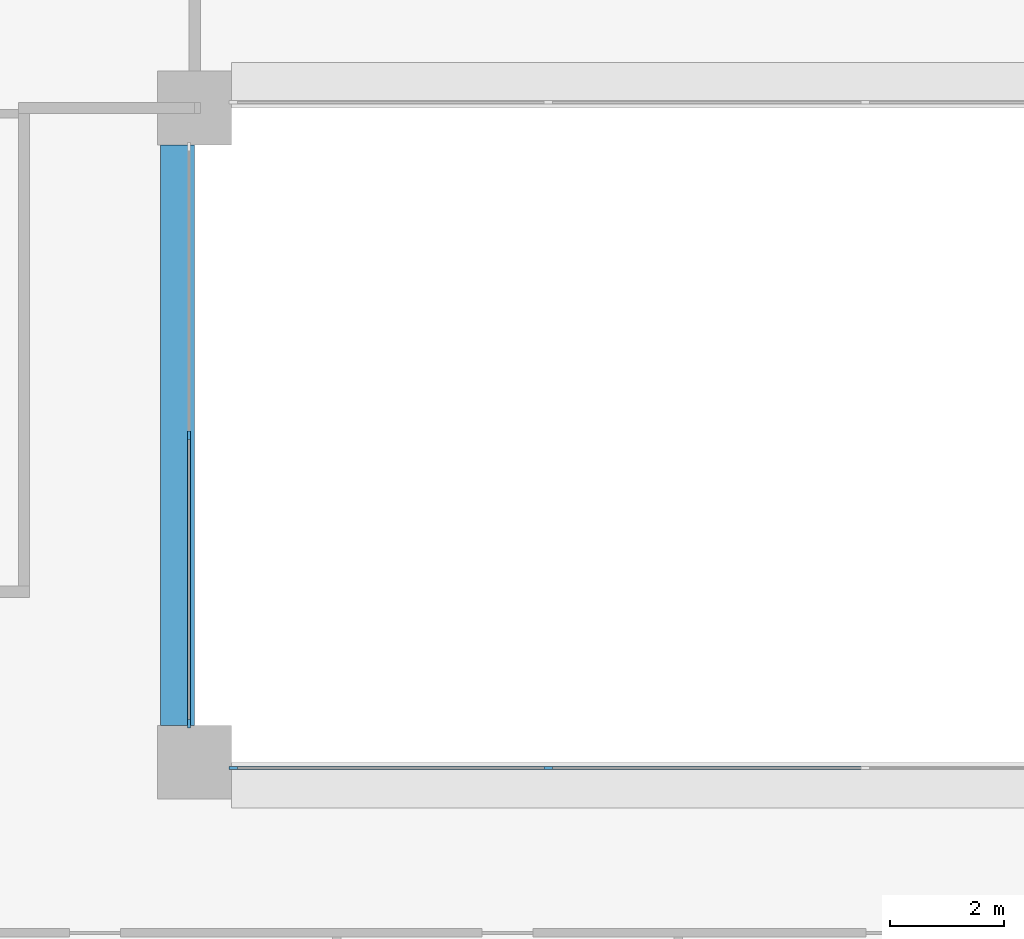
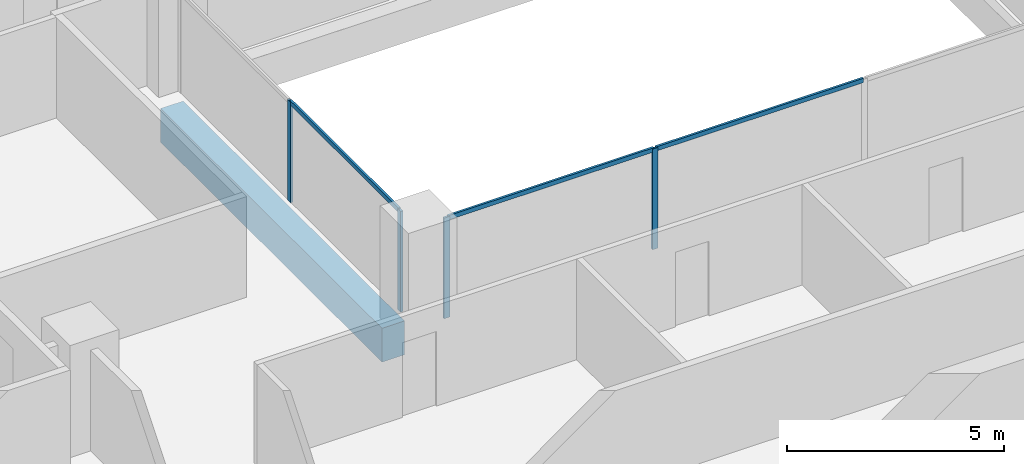
# One storey, part 2 of 17: 7 members, 1 beam, 2 elements without a shape of their own.
"""IFC4 building model written with IfcOpenShell, lengths in metres."""

from ifc_helpers import new_model, si_unit, direction, frame, origin, origin_2d, place, context, subcontext, project, spatial, rectangle, extrude, material, layer, layer_set, material_profile, profile_set, type_object, element, aggregate, save


model = new_model("IFC4")

# Units and contexts
model_context = context("Model", 3, precision=1e-05, world=origin(), true_north=direction((0.0, 1.0)))
body_context = subcontext(model_context, "Body", "Model", "MODEL_VIEW")
ifc_project = project(units=[si_unit("LENGTHUNIT", "METRE"), si_unit("AREAUNIT", "SQUARE_METRE"), si_unit("VOLUMEUNIT", "CUBIC_METRE"), si_unit("PLANEANGLEUNIT", "RADIAN"), si_unit("MASSUNIT", "GRAM", prefix="KILO")], contexts=[model_context])

# Site, building, storey
site_placement = place(None, origin())
site = spatial("IfcSite", under=ifc_project, at=site_placement, CompositionType="ELEMENT")
building_placement = place(site_placement, origin())
building = spatial("IfcBuilding", under=site, at=building_placement, Name="Brigalow Station Residences", CompositionType="ELEMENT")
storey_placement = place(building_placement, frame((0.0, 0.0, 111.89990234375)))
storey = spatial("IfcBuildingStorey", under=building, at=storey_placement, Name="L32", CompositionType="ELEMENT", Elevation=111.89990234375)

# Beam
ifc_material_1 = material(Name="Concrete C65", Category="concrete")
ifc_material_profile_1 = material_profile(ifc_material_1, rectangle(XDim=0.60009765625, YDim=0.949951171875, at=origin_2d()), Name="RC600x950")
ifc_profile_set_1 = profile_set([ifc_material_profile_1], Name="Concrete C65")
beam_type = type_object("IfcBeamType", Name="ATRIUM EDGE GIRDER 600x950 C65", PredefinedType="BEAM", material=ifc_profile_set_1)
beam_placement = place(storey_placement, frame((26.699951171875, 24.64990234375, -0.794921875), z_axis=(0.0, 1.0, 0.0), x_axis=(-1.0, 0.0, 0.0)))
element("IfcBeam", 1, at=beam_placement, inside=storey, type_object=beam_type, Name="ATRIUM EDGE GIRDER 3 L32", PredefinedType="BEAM", context=body_context, shape_type="SweptSolid", body=[
    extrude(rectangle(XDim=0.60009765625, YDim=0.949951171875, at=origin_2d()), origin(), (0.0, 0.0, 1.0), 10.2001953125),
])

# Curtain wall, members
ifc_material_2 = material(Name="Aluminium", Category="aluminium")
ifc_layer = layer(ifc_material_2, 0.14990234375)
ifc_layer_set = layer_set([ifc_layer], Name="ATRIUM FIRE-RATED GLAZING CURTAIN WALL")
curtain_wall_type = type_object("IfcCurtainWallType", Name="ATRIUM FIRE-RATED GLAZING CURTAIN WALL", PredefinedType="NOTDEFINED", material=ifc_layer_set)
curtain_wall_1_placement = place(storey_placement, origin())
curtain_wall_1 = element("IfcCurtainWall", 2, at=curtain_wall_1_placement, inside=storey, type_object=curtain_wall_type, Name="L32/cw/atrium-S", PredefinedType="NOTDEFINED")
ifc_material_3 = material(Name="Aluminium", Category="aluminium")
ifc_material_profile_2 = material_profile(ifc_material_3, rectangle(XDim=0.06005859375, YDim=0.14990234375, at=origin_2d()), Name="ATRIUM FIRE-RATED GLAZING MULLION 60x150")
ifc_profile_set_2 = profile_set([ifc_material_profile_2], Name="Aluminium")
member_type_1 = type_object("IfcMemberType", Name="ATRIUM FIRE-RATED GLAZING MULLION 60x150", PredefinedType="MULLION", material=ifc_profile_set_2)
member_1_placement = place(storey_placement, frame((27.679931640625, 23.89990234375, 0.0), z_axis=(0.0, 0.0, 1.0), x_axis=(0.0, 1.0, 0.0)))
member_1 = element("IfcMember", 3, at=member_1_placement, type_object=member_type_1, Name="L32/cw/atrium-S/M00", PredefinedType="MULLION", context=body_context, shape_type="SweptSolid", body=[
    extrude(rectangle(XDim=0.06005859375, YDim=0.14990234375, at=origin_2d()), origin(), (0.0, 0.0, 1.0), 2.830078125),
])
member_2_placement = place(storey_placement, frame((33.216796875, 23.89990234375, 0.0), z_axis=(0.0, 0.0, 1.0), x_axis=(0.0, 1.0, 0.0)))
member_2 = element("IfcMember", 4, at=member_2_placement, type_object=member_type_1, Name="L32/cw/atrium-S/M01", PredefinedType="MULLION", context=body_context, shape_type="SweptSolid", body=[
    extrude(rectangle(XDim=0.06005859375, YDim=0.14990234375, at=origin_2d()), origin(), (0.0, 0.0, 1.0), 2.830078125),
])

curtain_wall_2_placement = place(storey_placement, origin())
curtain_wall_2 = element("IfcCurtainWall", 5, at=curtain_wall_2_placement, inside=storey, type_object=curtain_wall_type, Name="L32/cw/atrium-W", PredefinedType="NOTDEFINED")
member_3_placement = place(storey_placement, frame((26.89990234375, 29.75, 0.0), z_axis=(0.0, 0.0, 1.0), x_axis=(1.0, 0.0, 0.0)))
member_3 = element("IfcMember", 6, at=member_3_placement, type_object=member_type_1, Name="L32/cw/atrium-W/M01", PredefinedType="MULLION", context=body_context, shape_type="SweptSolid", body=[
    extrude(rectangle(XDim=0.06005859375, YDim=0.14990234375, at=origin_2d()), origin(), (0.0, 0.0, 1.0), 2.830078125),
])
member_4_placement = place(storey_placement, frame((26.89990234375, 24.679931640625, 0.0), z_axis=(0.0, 0.0, 1.0), x_axis=(1.0, 0.0, 0.0)))
member_4 = element("IfcMember", 7, at=member_4_placement, type_object=member_type_1, Name="L32/cw/atrium-W/M02", PredefinedType="MULLION", context=body_context, shape_type="SweptSolid", body=[
    extrude(rectangle(XDim=0.06005859375, YDim=0.14990234375, at=origin_2d()), origin(), (0.0, 0.0, 1.0), 2.830078125),
])

# Member
ifc_material_4 = material(Name="Aluminium", Category="aluminium")
ifc_material_profile_3 = material_profile(ifc_material_4, rectangle(XDim=0.06005859375, YDim=0.1201171875, at=origin_2d()), Name="ATRIUM FIRE-RATED GLAZING TRANSOM 60x120")
ifc_profile_set_3 = profile_set([ifc_material_profile_3], Name="Aluminium")
member_type_2 = type_object("IfcMemberType", Name="ATRIUM FIRE-RATED GLAZING TRANSOM 60x120", PredefinedType="USERDEFINED", material=ifc_profile_set_3)
member_5_placement = place(storey_placement, frame((27.7099609375, 23.89990234375, 2.800048828125), z_axis=(1.0, 0.0, 0.0), x_axis=(0.0, 1.0, 0.0)))
member_5 = element("IfcMember", 8, at=member_5_placement, type_object=member_type_2, Name="L32/cw/atrium-S/T00-00", ObjectType="TRANSOM", PredefinedType="USERDEFINED", context=body_context, shape_type="SweptSolid", body=[
    extrude(rectangle(XDim=0.06005859375, YDim=0.1201171875, at=origin_2d()), origin(), (0.0, 0.0, 1.0), 5.476806640625),
])

member_6_placement = place(storey_placement, frame((33.24658203125, 23.89990234375, 2.800048828125), z_axis=(1.0, 0.0, 0.0), x_axis=(0.0, 1.0, 0.0)))
member_6 = element("IfcMember", 9, at=member_6_placement, type_object=member_type_2, Name="L32/cw/atrium-S/T01-00", ObjectType="TRANSOM", PredefinedType="USERDEFINED", context=body_context, shape_type="SweptSolid", body=[
    extrude(rectangle(XDim=0.06005859375, YDim=0.1201171875, at=origin_2d()), origin(), (0.0, 0.0, 1.0), 5.5068359375),
])

aggregate(curtain_wall_1, [member_1, member_2, member_5, member_6])

member_7_placement = place(storey_placement, frame((26.89990234375, 29.719970703125, 2.800048828125), z_axis=(0.0, -1.0, 0.0), x_axis=(1.0, 0.0, 0.0)))
member_7 = element("IfcMember", 10, at=member_7_placement, type_object=member_type_2, Name="L32/cw/atrium-W/T01-00", ObjectType="TRANSOM", PredefinedType="USERDEFINED", context=body_context, shape_type="SweptSolid", body=[
    extrude(rectangle(XDim=0.06005859375, YDim=0.1201171875, at=origin_2d()), origin(), (0.0, 0.0, 1.0), 5.010009765625),
])

aggregate(curtain_wall_2, [member_3, member_4, member_7])

save(model, "model.ifc")
